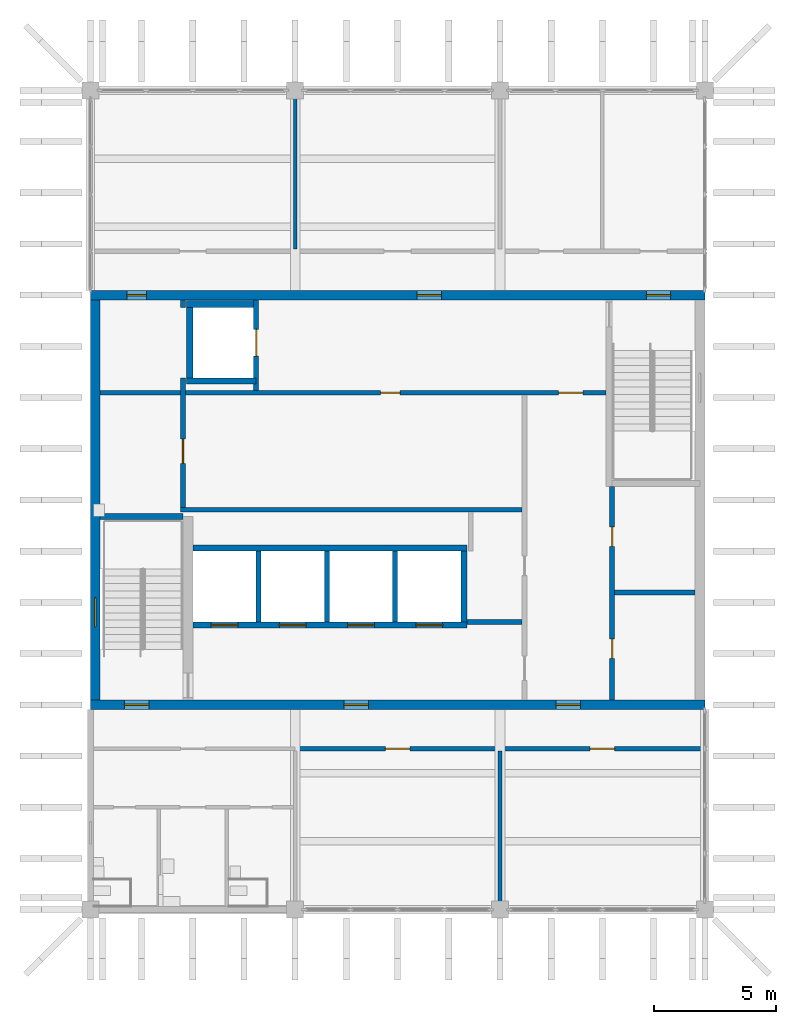
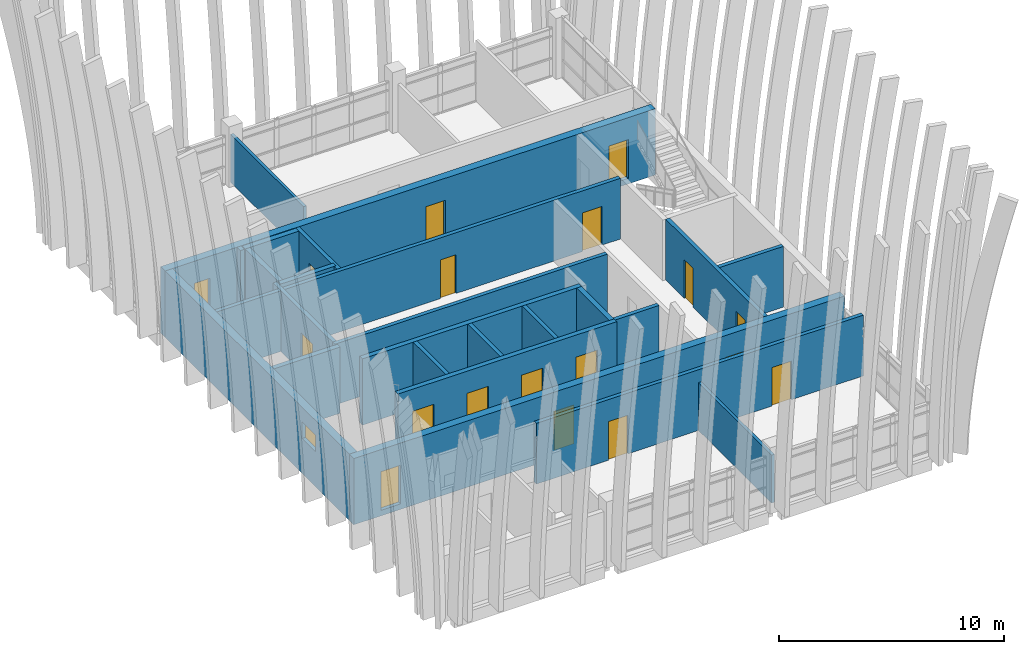
# One storey, part 6 of 19: 24 walls, 18 doors, 1 window, 19 openings.
"""IFC4 building model written with IfcOpenShell, lengths in metres."""

from ifc_helpers import new_model, si_unit, direction, frame, frame_2d, origin, place, context, subcontext, project, spatial, rectangle, extrude, material, layer, layer_set, type_object, element, fill, save


model = new_model("IFC4")

# Units and contexts
model_context = context("Model", 3, precision=1e-05, world=origin(), true_north=direction((0.0, 1.0)))
body_context = subcontext(model_context, "Body", "Model", "MODEL_VIEW")
ifc_project = project(units=[si_unit("LENGTHUNIT", "METRE"), si_unit("AREAUNIT", "SQUARE_METRE"), si_unit("VOLUMEUNIT", "CUBIC_METRE"), si_unit("PLANEANGLEUNIT", "RADIAN"), si_unit("MASSUNIT", "GRAM", prefix="KILO")], contexts=[model_context])

# Site, building, storey
site_placement = place(None, origin())
site = spatial("IfcSite", under=ifc_project, at=site_placement, CompositionType="ELEMENT")
building_placement = place(site_placement, origin())
building = spatial("IfcBuilding", under=site, at=building_placement, Name="Rulbaag Community and Learning Centre", CompositionType="ELEMENT")
storey_placement = place(building_placement, frame((0.0, 0.0, 57.60009765625)))
storey = spatial("IfcBuildingStorey", under=building, at=storey_placement, Name="L15", CompositionType="ELEMENT", Elevation=57.60009765625)

# Wall, openings, doors
ifc_material_1 = material(Name="Concrete blockwork", Category="masonry")
ifc_layer_1 = layer(ifc_material_1, 0.199951171875)
ifc_layer_set_1 = layer_set([ifc_layer_1], Name="FW-200 FIRE WALL 200")
wall_type_1 = type_object("IfcWallType", Name="FW-200 FIRE WALL 200", PredefinedType="SOLIDWALL", material=ifc_layer_set_1)
wall_1_placement = place(storey_placement, frame((151.199951171875, 90.60009765625, 0.0), z_axis=(0.0, 0.0, 1.0), x_axis=(1.0, 0.0, 0.0)))
wall_1 = element("IfcWall", 1, at=wall_1_placement, inside=storey, type_object=wall_type_1, Name="Fire wall L15 3", PredefinedType="SOLIDWALL", context=body_context, shape_type="SweptSolid", body=[
    extrude(rectangle(XDim=16.800048828125, YDim=0.199951171875, at=frame_2d((8.39990234375, 0.0))), origin(), (0.0, 0.0, 1.0), 3.2998046875),
])
opening_1_placement = place(wall_1_placement, frame((3.699951171875, 0.0, 0.0)))
opening_1 = element("IfcOpeningElement", 2, at=opening_1_placement, cuts=wall_1, Name="Opening L15-D018", PredefinedType="OPENING", context=body_context, shape_type="SweptSolid", body=[
    extrude(rectangle(XDim=1.0, YDim=2.10009765625, at=frame_2d((0.5, 1.050048828125))), frame((0.0, 0.10986328125, 0.0), z_axis=(0.0, -1.0, 0.0), x_axis=(1.0, 0.0, 0.0)), (0.0, 0.0, 1.0), 0.219970703125),
])
opening_2_placement = place(wall_1_placement, frame((12.10009765625, 0.0, 0.0)))
opening_2 = element("IfcOpeningElement", 3, at=opening_2_placement, cuts=wall_1, Name="Opening L15-D027", PredefinedType="OPENING", context=body_context, shape_type="SweptSolid", body=[
    extrude(rectangle(XDim=1.0, YDim=2.10009765625, at=frame_2d((0.5, 1.050048828125))), frame((0.0, 0.10986328125, 0.0), z_axis=(0.0, -1.0, 0.0), x_axis=(1.0, 0.0, 0.0)), (0.0, 0.0, 1.0), 0.219970703125),
])
ifc_material_2 = material(Name="Galvanised steel", Category="steel")
door_type_1 = type_object("IfcDoorType", Name="FD-1000 FIRE DOOR 1000 x 2100", OperationType="SINGLE_SWING_LEFT", PredefinedType="DOOR", material=ifc_material_2)
door_1_placement = place(opening_1_placement, origin())
door_1 = element("IfcDoor", 4, at=door_1_placement, inside=storey, type_object=door_type_1, Name="Door L15-D018", OperationType="SINGLE_SWING_LEFT", OverallHeight=2.10009765625, OverallWidth=1.0, PredefinedType="DOOR", context=body_context, shape_type="SweptSolid", body=[
    extrude(rectangle(XDim=1.0, YDim=2.10009765625, at=frame_2d((0.5, 1.050048828125))), frame((0.0, 0.02490234375, 0.0), z_axis=(0.0, -1.0, 0.0), x_axis=(1.0, 0.0, 0.0)), (0.0, 0.0, 1.0), 0.050048828125),
])
fill(opening_1, door_1)
door_2_placement = place(opening_2_placement, origin())
door_2 = element("IfcDoor", 5, at=door_2_placement, inside=storey, type_object=door_type_1, Name="Door L15-D027", OperationType="SINGLE_SWING_RIGHT", OverallHeight=2.10009765625, OverallWidth=1.0, PredefinedType="DOOR", context=body_context, shape_type="SweptSolid", body=[
    extrude(rectangle(XDim=1.0, YDim=2.10009765625, at=frame_2d((0.5, 1.050048828125))), frame((0.0, 0.02490234375, 0.0), z_axis=(0.0, -1.0, 0.0), x_axis=(1.0, 0.0, 0.0)), (0.0, 0.0, 1.0), 0.050048828125),
])
fill(opening_2, door_2)

# Walls
wall_2_placement = place(storey_placement, frame((158.25, 95.800048828125, 0.0), z_axis=(0.0, 0.0, 1.0), x_axis=(1.0, 0.0, 0.0)))
element("IfcWall", 6, at=wall_2_placement, inside=storey, type_object=wall_type_1, Name="Fire wall L15 5", PredefinedType="SOLIDWALL", context=body_context, shape_type="SweptSolid", body=[
    extrude(rectangle(XDim=2.25, YDim=0.199951171875, at=frame_2d((1.125, 0.0))), origin(), (0.0, 0.0, 1.0), 3.2998046875),
])
wall_3_placement = place(storey_placement, frame((164.300048828125, 97.0, 0.0), z_axis=(0.0, 0.0, 1.0), x_axis=(1.0, 0.0, 0.0)))
element("IfcWall", 7, at=wall_3_placement, inside=storey, type_object=wall_type_1, Name="Fire wall L15 6", PredefinedType="SOLIDWALL", context=body_context, shape_type="SweptSolid", body=[
    extrude(rectangle(XDim=3.300048828125, YDim=0.199951171875, at=frame_2d((1.64990234375, 0.0))), origin(), (0.0, 0.0, 1.0), 3.2998046875),
])
wall_4_placement = place(storey_placement, frame((146.5, 100.39990234375, 0.0), z_axis=(0.0, 0.0, 1.0), x_axis=(1.0, 0.0, 0.0)))
element("IfcWall", 8, at=wall_4_placement, inside=storey, type_object=wall_type_1, Name="Fire wall L15 8", PredefinedType="SOLIDWALL", context=body_context, shape_type="SweptSolid", body=[
    extrude(rectangle(XDim=14.0, YDim=0.199951171875, at=frame_2d((7.0, 0.0))), origin(), (0.0, 0.0, 1.0), 3.2998046875),
])

# Wall, openings, doors
wall_5_placement = place(storey_placement, frame((143.199951171875, 105.199951171875, 0.0), z_axis=(0.0, 0.0, 1.0), x_axis=(1.0, 0.0, 0.0)))
wall_5 = element("IfcWall", 9, at=wall_5_placement, inside=storey, type_object=wall_type_1, Name="Fire wall L15 9", PredefinedType="SOLIDWALL", context=body_context, shape_type="SweptSolid", body=[
    extrude(rectangle(XDim=20.75, YDim=0.199951171875, at=frame_2d((10.375, 0.0))), origin(), (0.0, 0.0, 1.0), 3.2998046875),
])
opening_3_placement = place(wall_5_placement, frame((11.5, 0.0, 0.0)))
opening_3 = element("IfcOpeningElement", 10, at=opening_3_placement, cuts=wall_5, Name="Opening L15-D017", PredefinedType="OPENING", context=body_context, shape_type="SweptSolid", body=[
    extrude(rectangle(XDim=0.800048828125, YDim=2.10009765625, at=frame_2d((0.39990234375, 1.050048828125))), frame((0.0, 0.10986328125, 0.0), z_axis=(0.0, -1.0, 0.0), x_axis=(1.0, 0.0, 0.0)), (0.0, 0.0, 1.0), 0.219970703125),
])
opening_4_placement = place(wall_5_placement, frame((18.800048828125, 0.0, 0.0)))
opening_4 = element("IfcOpeningElement", 11, at=opening_4_placement, cuts=wall_5, Name="Opening L15-D026", PredefinedType="OPENING", context=body_context, shape_type="SweptSolid", body=[
    extrude(rectangle(XDim=1.0, YDim=2.10009765625, at=frame_2d((0.5, 1.050048828125))), frame((0.0, 0.10986328125, 0.0), z_axis=(0.0, -1.0, 0.0), x_axis=(1.0, 0.0, 0.0)), (0.0, 0.0, 1.0), 0.219970703125),
])
door_3_placement = place(opening_4_placement, origin())
door_3 = element("IfcDoor", 12, at=door_3_placement, inside=storey, type_object=door_type_1, Name="Door L15-D026", OperationType="SINGLE_SWING_LEFT", OverallHeight=2.10009765625, OverallWidth=1.0, PredefinedType="DOOR", context=body_context, shape_type="SweptSolid", body=[
    extrude(rectangle(XDim=1.0, YDim=2.10009765625, at=frame_2d((0.5, 1.050048828125))), frame((0.0, 0.02490234375, 0.0), z_axis=(0.0, -1.0, 0.0), x_axis=(1.0, 0.0, 0.0)), (0.0, 0.0, 1.0), 0.050048828125),
])
fill(opening_4, door_3)
door_type_2 = type_object("IfcDoorType", Name="FDR-800 RISER FIRE DOOR 800 x 2100", OperationType="SINGLE_SWING_LEFT", PredefinedType="DOOR", material=ifc_material_2)
door_4_placement = place(opening_3_placement, origin())
door_4 = element("IfcDoor", 13, at=door_4_placement, inside=storey, type_object=door_type_2, Name="Riser door L15-D022", OperationType="SINGLE_SWING_RIGHT", OverallHeight=2.10009765625, OverallWidth=0.800048828125, PredefinedType="DOOR", context=body_context, shape_type="SweptSolid", body=[
    extrude(rectangle(XDim=0.800048828125, YDim=2.10009765625, at=frame_2d((0.39990234375, 1.050048828125))), frame((0.0, 0.02490234375, 0.0), z_axis=(0.0, -1.0, 0.0), x_axis=(1.0, 0.0, 0.0)), (0.0, 0.0, 1.0), 0.050048828125),
])
fill(opening_3, door_4)

# Wall, opening, door
wall_6_placement = place(storey_placement, frame((146.60009765625, 100.5, 0.0), z_axis=(0.0, 0.0, 1.0), x_axis=(0.0, 1.0, 0.0)))
wall_6 = element("IfcWall", 14, at=wall_6_placement, inside=storey, type_object=wall_type_1, Name="Fire wall L15 12", PredefinedType="SOLIDWALL", context=body_context, shape_type="SweptSolid", body=[
    extrude(rectangle(XDim=5.300048828125, YDim=0.199951171875, at=frame_2d((2.64990234375, 0.0))), origin(), (0.0, 0.0, 1.0), 3.2998046875),
])
opening_5_placement = place(wall_6_placement, frame((1.800048828125, 0.0, 0.0)))
opening_5 = element("IfcOpeningElement", 15, at=opening_5_placement, cuts=wall_6, Name="Opening L15-D005", PredefinedType="OPENING", context=body_context, shape_type="SweptSolid", body=[
    extrude(rectangle(XDim=1.0, YDim=2.10009765625, at=frame_2d((0.5, 1.050048828125))), frame((0.0, 0.10986328125, 0.0), z_axis=(0.0, -1.0, 0.0), x_axis=(1.0, 0.0, 0.0)), (0.0, 0.0, 1.0), 0.219970703125),
])
door_5_placement = place(opening_5_placement, origin())
door_5 = element("IfcDoor", 16, at=door_5_placement, inside=storey, type_object=door_type_1, Name="Door L15-D005", OperationType="SINGLE_SWING_LEFT", OverallHeight=2.10009765625, OverallWidth=1.0, PredefinedType="DOOR", context=body_context, shape_type="SweptSolid", body=[
    extrude(rectangle(XDim=1.0, YDim=2.10009765625, at=frame_2d((0.5, 1.050048828125))), frame((0.0, 0.02490234375, 0.0), z_axis=(0.0, -1.0, 0.0), x_axis=(1.0, 0.0, 0.0)), (0.0, 0.0, 1.0), 0.050048828125),
])
fill(opening_5, door_5)

# Wall
wall_7_placement = place(storey_placement, frame((146.60009765625, 108.699951171875, 0.0), z_axis=(0.0, 0.0, 1.0), x_axis=(0.0, 1.0, 0.0)))
element("IfcWall", 17, at=wall_7_placement, inside=storey, type_object=wall_type_1, Name="Fire wall L15 13", PredefinedType="SOLIDWALL", context=body_context, shape_type="SweptSolid", body=[
    extrude(rectangle(XDim=0.300048828125, YDim=0.199951171875, at=frame_2d((0.14990234375, 0.0))), origin(), (0.0, 0.0, 1.0), 3.2998046875),
])

# Wall, opening, door
wall_8_placement = place(storey_placement, frame((149.60009765625, 105.300048828125, 0.0), z_axis=(0.0, 0.0, 1.0), x_axis=(0.0, 1.0, 0.0)))
wall_8 = element("IfcWall", 18, at=wall_8_placement, inside=storey, type_object=wall_type_1, Name="Fire wall L15 15", PredefinedType="SOLIDWALL", context=body_context, shape_type="SweptSolid", body=[
    extrude(rectangle(XDim=3.699951171875, YDim=0.199951171875, at=frame_2d((1.85009765625, 0.0))), origin(), (0.0, 0.0, 1.0), 3.2998046875),
])
opening_6_placement = place(wall_8_placement, frame((1.39990234375, 0.0, 0.0)))
opening_6 = element("IfcOpeningElement", 19, at=opening_6_placement, cuts=wall_8, Name="Opening L15-D011", PredefinedType="OPENING", context=body_context, shape_type="SweptSolid", body=[
    extrude(rectangle(XDim=1.10009765625, YDim=2.10009765625, at=frame_2d((0.550048828125, 1.050048828125))), frame((0.0, 0.10986328125, 0.0), z_axis=(0.0, -1.0, 0.0), x_axis=(1.0, 0.0, 0.0)), (0.0, 0.0, 1.0), 0.219970703125),
])
ifc_material_3 = material(Name="Stainless steel grade 304", Category="steel")
door_type_3 = type_object("IfcDoorType", Name="LD-1100 LIFT LANDING DOOR 1100 x 2100", OperationType="SLIDING_TO_LEFT", PredefinedType="DOOR", material=ifc_material_3)
door_6_placement = place(opening_6_placement, origin())
door_6 = element("IfcDoor", 20, at=door_6_placement, inside=storey, type_object=door_type_3, Name="Lift landing door LF1 L15", OperationType="SLIDING_TO_LEFT", OverallHeight=2.10009765625, OverallWidth=1.10009765625, PredefinedType="DOOR", context=body_context, shape_type="SweptSolid", body=[
    extrude(rectangle(XDim=1.10009765625, YDim=2.10009765625, at=frame_2d((0.550048828125, 1.050048828125))), frame((0.0, 0.02490234375, 0.0), z_axis=(0.0, -1.0, 0.0), x_axis=(1.0, 0.0, 0.0)), (0.0, 0.0, 1.0), 0.050048828125),
])
fill(opening_6, door_6)

# Wall, openings, doors
wall_9_placement = place(storey_placement, frame((164.199951171875, 92.60009765625, 0.0), z_axis=(0.0, 0.0, 1.0), x_axis=(0.0, 1.0, 0.0)))
wall_9 = element("IfcWall", 21, at=wall_9_placement, inside=storey, type_object=wall_type_1, Name="Fire wall L15 23", PredefinedType="SOLIDWALL", context=body_context, shape_type="SweptSolid", body=[
    extrude(rectangle(XDim=8.75, YDim=0.199951171875, at=frame_2d((4.375, 0.0))), origin(), (0.0, 0.0, 1.0), 3.2998046875),
])
opening_7_placement = place(wall_9_placement, frame((1.699951171875, 0.0, 0.0)))
opening_7 = element("IfcOpeningElement", 22, at=opening_7_placement, cuts=wall_9, Name="Opening L15-D029", PredefinedType="OPENING", context=body_context, shape_type="SweptSolid", body=[
    extrude(rectangle(XDim=0.800048828125, YDim=2.10009765625, at=frame_2d((0.39990234375, 1.050048828125))), frame((0.0, 0.10986328125, 0.0), z_axis=(0.0, -1.0, 0.0), x_axis=(1.0, 0.0, 0.0)), (0.0, 0.0, 1.0), 0.219970703125),
])
opening_8_placement = place(wall_9_placement, frame((6.300048828125, 0.0, 0.0)))
opening_8 = element("IfcOpeningElement", 23, at=opening_8_placement, cuts=wall_9, Name="Opening L15-D030", PredefinedType="OPENING", context=body_context, shape_type="SweptSolid", body=[
    extrude(rectangle(XDim=0.800048828125, YDim=2.10009765625, at=frame_2d((0.39990234375, 1.050048828125))), frame((0.0, 0.10986328125, 0.0), z_axis=(0.0, -1.0, 0.0), x_axis=(1.0, 0.0, 0.0)), (0.0, 0.0, 1.0), 0.219970703125),
])
door_7_placement = place(opening_7_placement, origin())
door_7 = element("IfcDoor", 24, at=door_7_placement, inside=storey, type_object=door_type_2, Name="Riser door L15-D019", OperationType="SINGLE_SWING_LEFT", OverallHeight=2.10009765625, OverallWidth=0.800048828125, PredefinedType="DOOR", context=body_context, shape_type="SweptSolid", body=[
    extrude(rectangle(XDim=0.800048828125, YDim=2.10009765625, at=frame_2d((0.39990234375, 1.050048828125))), frame((0.0, 0.02490234375, 0.0), z_axis=(0.0, -1.0, 0.0), x_axis=(1.0, 0.0, 0.0)), (0.0, 0.0, 1.0), 0.050048828125),
])
fill(opening_7, door_7)
door_8_placement = place(opening_8_placement, origin())
door_8 = element("IfcDoor", 25, at=door_8_placement, inside=storey, type_object=door_type_2, Name="Riser door L15-D020", OperationType="SINGLE_SWING_RIGHT", OverallHeight=2.10009765625, OverallWidth=0.800048828125, PredefinedType="DOOR", context=body_context, shape_type="SweptSolid", body=[
    extrude(rectangle(XDim=0.800048828125, YDim=2.10009765625, at=frame_2d((0.39990234375, 1.050048828125))), frame((0.0, 0.02490234375, 0.0), z_axis=(0.0, -1.0, 0.0), x_axis=(1.0, 0.0, 0.0)), (0.0, 0.0, 1.0), 0.050048828125),
])
fill(opening_8, door_8)

# Walls
ifc_layer_2 = layer(ifc_material_1, 0.14990234375)
ifc_layer_set_2 = layer_set([ifc_layer_2], Name="IP-150 PARTITION 150")
wall_type_2 = type_object("IfcWallType", Name="IP-150 PARTITION 150", PredefinedType="PARTITIONING", material=ifc_layer_set_2)
for number, where, z_axis, x_axis, name in (
    (26, (151.199951171875, 111.10009765625, 0.0), (0.0, 0.0, 1.0), (0.0, 1.0, 0.0), "Partition L15 17"),
    (27, (159.60009765625, 84.0, 0.0), (0.0, 0.0, 1.0), (0.0, 1.0, 0.0), "Partition L15 19"),
):
    element("IfcWall", number, at=place(storey_placement, frame(where, z_axis=z_axis, x_axis=x_axis)), inside=storey, type_object=wall_type_2, Name=name, PredefinedType="PARTITIONING", context=body_context, shape_type="SweptSolid", body=[
        extrude(rectangle(XDim=6.5, YDim=0.14990234375, at=frame_2d((3.25, 0.0))), origin(), (0.0, 0.0, 1.0), 2.599853515625),
    ])
ifc_material_4 = material(Name="Concrete M40", Category="concrete")
ifc_layer_3 = layer(ifc_material_4, 0.27490234375)
ifc_layer_set_3 = layer_set([ifc_layer_3], Name="W16 Shaft wall 275 Concrete M40")
wall_type_3 = type_object("IfcWallType", Name="W16 Shaft wall 275 Concrete M40", PredefinedType="SHEAR", material=ifc_layer_set_3)
wall_10_placement = place(storey_placement, frame((146.75, 108.83740234375, -0.300048828125), z_axis=(0.0, 0.0, 1.0), x_axis=(1.0, 0.0, 0.0)))
element("IfcWall", 28, at=wall_10_placement, inside=storey, type_object=wall_type_3, Name="WL-LF-N-L15", PredefinedType="SHEAR", context=body_context, shape_type="SweptSolid", body=[
    extrude(rectangle(XDim=2.85009765625, YDim=0.27490234375, at=frame_2d((1.425048828125, 0.0))), origin(), (0.0, 0.0, 1.0), 3.599853515625),
])

# Wall, openings, doors
ifc_material_5 = material(Name="Concrete M60", Category="concrete")
ifc_layer_4 = layer(ifc_material_5, 0.39990234375)
ifc_layer_set_4 = layer_set([ifc_layer_4], Name="W2 Core wall 400 Concrete M60")
wall_type_4 = type_object("IfcWallType", Name="W2 Core wall 400 Concrete M60", PredefinedType="SHEAR", material=ifc_layer_set_4)
wall_11_placement = place(storey_placement, frame((142.800048828125, 92.39990234375, -0.300048828125), z_axis=(0.0, 0.0, 1.0), x_axis=(1.0, 0.0, 0.0)))
wall_11 = element("IfcWall", 29, at=wall_11_placement, inside=storey, type_object=wall_type_4, Name="WL-CORE-S-L15", PredefinedType="SHEAR", context=body_context, shape_type="SweptSolid", body=[
    extrude(rectangle(XDim=25.199951171875, YDim=0.39990234375, at=frame_2d((12.60009765625, 0.0))), origin(), (0.0, 0.0, 1.0), 3.599853515625),
])
opening_9_placement = place(wall_11_placement, frame((1.39990234375, 0.0, 0.300048828125)))
opening_9 = element("IfcOpeningElement", 30, at=opening_9_placement, cuts=wall_11, Name="Opening L15-D003", PredefinedType="OPENING", context=body_context, shape_type="SweptSolid", body=[
    extrude(rectangle(XDim=1.0, YDim=2.10009765625, at=frame_2d((0.5, 1.050048828125))), frame((0.0, 0.2099609375, 0.0), z_axis=(0.0, -1.0, 0.0), x_axis=(1.0, 0.0, 0.0)), (0.0, 0.0, 1.0), 0.419921875),
])
opening_10_placement = place(wall_11_placement, frame((19.10009765625, 0.0, 0.300048828125)))
opening_10 = element("IfcOpeningElement", 31, at=opening_10_placement, cuts=wall_11, Name="Opening L15-D025", PredefinedType="OPENING", context=body_context, shape_type="SweptSolid", body=[
    extrude(rectangle(XDim=1.0, YDim=2.10009765625, at=frame_2d((0.5, 1.050048828125))), frame((0.0, 0.2099609375, 0.0), z_axis=(0.0, -1.0, 0.0), x_axis=(1.0, 0.0, 0.0)), (0.0, 0.0, 1.0), 0.419921875),
])
opening_11_placement = place(wall_11_placement, frame((10.39990234375, 0.0, 0.300048828125)))
opening_11 = element("IfcOpeningElement", 32, at=opening_11_placement, cuts=wall_11, Name="Opening L15-D015", PredefinedType="OPENING", context=body_context, shape_type="SweptSolid", body=[
    extrude(rectangle(XDim=1.0, YDim=2.10009765625, at=frame_2d((0.5, 1.050048828125))), frame((0.0, 0.2099609375, 0.0), z_axis=(0.0, -1.0, 0.0), x_axis=(1.0, 0.0, 0.0)), (0.0, 0.0, 1.0), 0.419921875),
])
ifc_material_6 = material(Name="Timber", Category="wood")
door_type_4 = type_object("IfcDoorType", Name="D-1000 DOOR 1000 x 2100", OperationType="SINGLE_SWING_LEFT", PredefinedType="DOOR", material=ifc_material_6)
door_9_placement = place(opening_10_placement, origin())
door_9 = element("IfcDoor", 33, at=door_9_placement, inside=storey, type_object=door_type_4, Name="Door L15-D025", OperationType="SINGLE_SWING_LEFT", OverallHeight=2.10009765625, OverallWidth=1.0, PredefinedType="DOOR", context=body_context, shape_type="SweptSolid", body=[
    extrude(rectangle(XDim=1.0, YDim=2.10009765625, at=frame_2d((0.5, 1.050048828125))), frame((0.0, 0.02490234375, 0.0), z_axis=(0.0, -1.0, 0.0), x_axis=(1.0, 0.0, 0.0)), (0.0, 0.0, 1.0), 0.050048828125),
])
fill(opening_10, door_9)
door_10_placement = place(opening_9_placement, origin())
door_10 = element("IfcDoor", 34, at=door_10_placement, inside=storey, type_object=door_type_1, Name="Door L15-D003", OperationType="SINGLE_SWING_RIGHT", OverallHeight=2.10009765625, OverallWidth=1.0, PredefinedType="DOOR", context=body_context, shape_type="SweptSolid", body=[
    extrude(rectangle(XDim=1.0, YDim=2.10009765625, at=frame_2d((0.5, 1.050048828125))), frame((0.0, 0.02490234375, 0.0), z_axis=(0.0, -1.0, 0.0), x_axis=(1.0, 0.0, 0.0)), (0.0, 0.0, 1.0), 0.050048828125),
])
fill(opening_9, door_10)
door_11_placement = place(opening_11_placement, origin())
door_11 = element("IfcDoor", 35, at=door_11_placement, inside=storey, type_object=door_type_1, Name="Door L15-D015", OperationType="SINGLE_SWING_RIGHT", OverallHeight=2.10009765625, OverallWidth=1.0, PredefinedType="DOOR", context=body_context, shape_type="SweptSolid", body=[
    extrude(rectangle(XDim=1.0, YDim=2.10009765625, at=frame_2d((0.5, 1.050048828125))), frame((0.0, 0.02490234375, 0.0), z_axis=(0.0, -1.0, 0.0), x_axis=(1.0, 0.0, 0.0)), (0.0, 0.0, 1.0), 0.050048828125),
])
fill(opening_11, door_11)

wall_12_placement = place(storey_placement, frame((142.800048828125, 109.199951171875, -0.300048828125), z_axis=(0.0, 0.0, 1.0), x_axis=(1.0, 0.0, 0.0)))
wall_12 = element("IfcWall", 36, at=wall_12_placement, inside=storey, type_object=wall_type_4, Name="WL-CORE-N-L15", PredefinedType="SHEAR", context=body_context, shape_type="SweptSolid", body=[
    extrude(rectangle(XDim=25.199951171875, YDim=0.39990234375, at=frame_2d((12.60009765625, 0.0))), origin(), (0.0, 0.0, 1.0), 3.599853515625),
])
opening_12_placement = place(wall_12_placement, frame((22.800048828125, 0.0, 0.300048828125)))
opening_12 = element("IfcOpeningElement", 37, at=opening_12_placement, cuts=wall_12, Name="Opening L15-D032", PredefinedType="OPENING", context=body_context, shape_type="SweptSolid", body=[
    extrude(rectangle(XDim=1.0, YDim=2.10009765625, at=frame_2d((0.5, 1.050048828125))), frame((0.0, 0.2099609375, 0.0), z_axis=(0.0, -1.0, 0.0), x_axis=(1.0, 0.0, 0.0)), (0.0, 0.0, 1.0), 0.419921875),
])
opening_13_placement = place(wall_12_placement, frame((1.5, 0.0, 0.300048828125)))
opening_13 = element("IfcOpeningElement", 38, at=opening_13_placement, cuts=wall_12, Name="Opening L15-D004", PredefinedType="OPENING", context=body_context, shape_type="SweptSolid", body=[
    extrude(rectangle(XDim=0.800048828125, YDim=2.10009765625, at=frame_2d((0.39990234375, 1.050048828125))), frame((0.0, 0.2099609375, 0.0), z_axis=(0.0, -1.0, 0.0), x_axis=(1.0, 0.0, 0.0)), (0.0, 0.0, 1.0), 0.419921875),
])
opening_14_placement = place(wall_12_placement, frame((13.39990234375, 0.0, 0.300048828125)))
opening_14 = element("IfcOpeningElement", 39, at=opening_14_placement, cuts=wall_12, Name="Opening L15-D021", PredefinedType="OPENING", context=body_context, shape_type="SweptSolid", body=[
    extrude(rectangle(XDim=1.0, YDim=2.10009765625, at=frame_2d((0.5, 1.050048828125))), frame((0.0, 0.2099609375, 0.0), z_axis=(0.0, -1.0, 0.0), x_axis=(1.0, 0.0, 0.0)), (0.0, 0.0, 1.0), 0.419921875),
])
door_12_placement = place(opening_12_placement, origin())
door_12 = element("IfcDoor", 40, at=door_12_placement, inside=storey, type_object=door_type_1, Name="Door L15-D032", OperationType="SINGLE_SWING_LEFT", OverallHeight=2.10009765625, OverallWidth=1.0, PredefinedType="DOOR", context=body_context, shape_type="SweptSolid", body=[
    extrude(rectangle(XDim=1.0, YDim=2.10009765625, at=frame_2d((0.5, 1.050048828125))), frame((0.0, 0.02490234375, 0.0), z_axis=(0.0, -1.0, 0.0), x_axis=(1.0, 0.0, 0.0)), (0.0, 0.0, 1.0), 0.050048828125),
])
fill(opening_12, door_12)
door_13_placement = place(opening_14_placement, origin())
door_13 = element("IfcDoor", 41, at=door_13_placement, inside=storey, type_object=door_type_1, Name="Door L15-D021", OperationType="SINGLE_SWING_LEFT", OverallHeight=2.10009765625, OverallWidth=1.0, PredefinedType="DOOR", context=body_context, shape_type="SweptSolid", body=[
    extrude(rectangle(XDim=1.0, YDim=2.10009765625, at=frame_2d((0.5, 1.050048828125))), frame((0.0, 0.02490234375, 0.0), z_axis=(0.0, -1.0, 0.0), x_axis=(1.0, 0.0, 0.0)), (0.0, 0.0, 1.0), 0.050048828125),
])
fill(opening_14, door_13)
door_14_placement = place(opening_13_placement, origin())
door_14 = element("IfcDoor", 42, at=door_14_placement, inside=storey, type_object=door_type_2, Name="Riser door L15-D024", OperationType="SINGLE_SWING_LEFT", OverallHeight=2.10009765625, OverallWidth=0.800048828125, PredefinedType="DOOR", context=body_context, shape_type="SweptSolid", body=[
    extrude(rectangle(XDim=0.800048828125, YDim=2.10009765625, at=frame_2d((0.39990234375, 1.050048828125))), frame((0.0, 0.02490234375, 0.0), z_axis=(0.0, -1.0, 0.0), x_axis=(1.0, 0.0, 0.0)), (0.0, 0.0, 1.0), 0.050048828125),
])
fill(opening_13, door_14)

# Wall, opening, window
wall_13_placement = place(storey_placement, frame((143.0, 92.60009765625, -0.300048828125), z_axis=(0.0, 0.0, 1.0), x_axis=(0.0, 1.0, 0.0)))
wall_13 = element("IfcWall", 43, at=wall_13_placement, inside=storey, type_object=wall_type_4, Name="WL-CORE-W-L15", PredefinedType="SHEAR", context=body_context, shape_type="SweptSolid", body=[
    extrude(rectangle(XDim=16.39990234375, YDim=0.39990234375, at=frame_2d((8.199951171875, 0.0))), origin(), (0.0, 0.0, 1.0), 3.599853515625),
])
opening_15_placement = place(wall_13_placement, frame((3.0, 0.0, 1.89990234375)))
opening_15 = element("IfcOpeningElement", 44, at=opening_15_placement, cuts=wall_13, Name="Opening WN19", PredefinedType="OPENING", context=body_context, shape_type="SweptSolid", body=[
    extrude(rectangle(XDim=1.199951171875, YDim=0.89990234375, at=frame_2d((0.60009765625, 0.449951171875))), frame((0.0, 0.2099609375, 0.0), z_axis=(0.0, -1.0, 0.0), x_axis=(1.0, 0.0, 0.0)), (0.0, 0.0, 1.0), 0.419921875),
])
ifc_material_7 = material(Name="Aluminium", Category="aluminium")
window_type = type_object("IfcWindowType", Name="WS-12", PartitioningType="SINGLE_PANEL", PredefinedType="WINDOW", material=ifc_material_7)
window_placement = place(opening_15_placement, origin())
window = element("IfcWindow", 45, at=window_placement, inside=storey, type_object=window_type, Name="Stair window", OverallHeight=0.89990234375, OverallWidth=1.199951171875, PartitioningType="SINGLE_PANEL", PredefinedType="WINDOW", context=body_context, shape_type="SweptSolid", body=[
    extrude(rectangle(XDim=1.199951171875, YDim=0.89990234375, at=frame_2d((0.60009765625, 0.449951171875))), frame((0.0, 0.030029296875, 0.0), z_axis=(0.0, -1.0, 0.0), x_axis=(1.0, 0.0, 0.0)), (0.0, 0.0, 1.0), 0.06005859375),
])
fill(opening_15, window)

# Wall
ifc_layer_5 = layer(ifc_material_4, 0.25)
ifc_layer_set_5 = layer_set([ifc_layer_5], Name="W5 Shaft wall 250 Concrete M40")
wall_type_5 = type_object("IfcWallType", Name="W5 Shaft wall 250 Concrete M40", PredefinedType="SHEAR", material=ifc_layer_set_5)
wall_14_placement = place(storey_placement, frame((143.199951171875, 100.125, -0.300048828125), z_axis=(0.0, 0.0, 1.0), x_axis=(1.0, 0.0, 0.0)))
element("IfcWall", 46, at=wall_14_placement, inside=storey, type_object=wall_type_5, Name="WL-ST1-N-L15", PredefinedType="SHEAR", context=body_context, shape_type="SweptSolid", body=[
    extrude(rectangle(XDim=3.400146484375, YDim=0.25, at=frame_2d((1.7001953125, 0.0))), origin(), (0.0, 0.0, 1.0), 3.599853515625),
])

# Wall, openings, doors
wall_15_placement = place(storey_placement, frame((147.0, 95.675048828125, -0.300048828125), z_axis=(0.0, 0.0, 1.0), x_axis=(1.0, 0.0, 0.0)))
wall_15 = element("IfcWall", 47, at=wall_15_placement, inside=storey, type_object=wall_type_5, Name="WL-LP-S-L15", PredefinedType="SHEAR", context=body_context, shape_type="SweptSolid", body=[
    extrude(rectangle(XDim=11.25, YDim=0.25, at=frame_2d((5.625, 0.0))), origin(), (0.0, 0.0, 1.0), 3.599853515625),
])
opening_16_placement = place(wall_15_placement, frame((0.75, 0.0, 0.300048828125)))
opening_16 = element("IfcOpeningElement", 48, at=opening_16_placement, cuts=wall_15, Name="Opening L15-D010", PredefinedType="OPENING", context=body_context, shape_type="SweptSolid", body=[
    extrude(rectangle(XDim=1.10009765625, YDim=2.10009765625, at=frame_2d((0.550048828125, 1.050048828125))), frame((0.0, 0.135009765625, 0.0), z_axis=(0.0, -1.0, 0.0), x_axis=(1.0, 0.0, 0.0)), (0.0, 0.0, 1.0), 0.27001953125),
])
opening_17_placement = place(wall_15_placement, frame((3.550048828125, 0.0, 0.300048828125)))
opening_17 = element("IfcOpeningElement", 49, at=opening_17_placement, cuts=wall_15, Name="Opening L15-D014", PredefinedType="OPENING", context=body_context, shape_type="SweptSolid", body=[
    extrude(rectangle(XDim=1.10009765625, YDim=2.10009765625, at=frame_2d((0.550048828125, 1.050048828125))), frame((0.0, 0.135009765625, 0.0), z_axis=(0.0, -1.0, 0.0), x_axis=(1.0, 0.0, 0.0)), (0.0, 0.0, 1.0), 0.27001953125),
])
opening_18_placement = place(wall_15_placement, frame((6.35009765625, 0.0, 0.300048828125)))
opening_18 = element("IfcOpeningElement", 50, at=opening_18_placement, cuts=wall_15, Name="Opening L15-D016", PredefinedType="OPENING", context=body_context, shape_type="SweptSolid", body=[
    extrude(rectangle(XDim=1.10009765625, YDim=2.10009765625, at=frame_2d((0.550048828125, 1.050048828125))), frame((0.0, 0.135009765625, 0.0), z_axis=(0.0, -1.0, 0.0), x_axis=(1.0, 0.0, 0.0)), (0.0, 0.0, 1.0), 0.27001953125),
])
opening_19_placement = place(wall_15_placement, frame((9.14990234375, 0.0, 0.300048828125)))
opening_19 = element("IfcOpeningElement", 51, at=opening_19_placement, cuts=wall_15, Name="Opening L15-D020", PredefinedType="OPENING", context=body_context, shape_type="SweptSolid", body=[
    extrude(rectangle(XDim=1.10009765625, YDim=2.10009765625, at=frame_2d((0.550048828125, 1.050048828125))), frame((0.0, 0.135009765625, 0.0), z_axis=(0.0, -1.0, 0.0), x_axis=(1.0, 0.0, 0.0)), (0.0, 0.0, 1.0), 0.27001953125),
])
door_15_placement = place(opening_16_placement, origin())
door_15 = element("IfcDoor", 52, at=door_15_placement, inside=storey, type_object=door_type_3, Name="Lift landing door LP1 L15", OperationType="SLIDING_TO_LEFT", OverallHeight=2.10009765625, OverallWidth=1.10009765625, PredefinedType="DOOR", context=body_context, shape_type="SweptSolid", body=[
    extrude(rectangle(XDim=1.10009765625, YDim=2.10009765625, at=frame_2d((0.550048828125, 1.050048828125))), frame((0.0, 0.02490234375, 0.0), z_axis=(0.0, -1.0, 0.0), x_axis=(1.0, 0.0, 0.0)), (0.0, 0.0, 1.0), 0.050048828125),
])
fill(opening_16, door_15)
door_16_placement = place(opening_17_placement, origin())
door_16 = element("IfcDoor", 53, at=door_16_placement, inside=storey, type_object=door_type_3, Name="Lift landing door LP2 L15", OperationType="SLIDING_TO_LEFT", OverallHeight=2.10009765625, OverallWidth=1.10009765625, PredefinedType="DOOR", context=body_context, shape_type="SweptSolid", body=[
    extrude(rectangle(XDim=1.10009765625, YDim=2.10009765625, at=frame_2d((0.550048828125, 1.050048828125))), frame((0.0, 0.02490234375, 0.0), z_axis=(0.0, -1.0, 0.0), x_axis=(1.0, 0.0, 0.0)), (0.0, 0.0, 1.0), 0.050048828125),
])
fill(opening_17, door_16)
door_17_placement = place(opening_18_placement, origin())
door_17 = element("IfcDoor", 54, at=door_17_placement, inside=storey, type_object=door_type_3, Name="Lift landing door LP3 L15", OperationType="SLIDING_TO_LEFT", OverallHeight=2.10009765625, OverallWidth=1.10009765625, PredefinedType="DOOR", context=body_context, shape_type="SweptSolid", body=[
    extrude(rectangle(XDim=1.10009765625, YDim=2.10009765625, at=frame_2d((0.550048828125, 1.050048828125))), frame((0.0, 0.02490234375, 0.0), z_axis=(0.0, -1.0, 0.0), x_axis=(1.0, 0.0, 0.0)), (0.0, 0.0, 1.0), 0.050048828125),
])
fill(opening_18, door_17)
door_18_placement = place(opening_19_placement, origin())
door_18 = element("IfcDoor", 55, at=door_18_placement, inside=storey, type_object=door_type_3, Name="Lift landing door LP4 L15", OperationType="SLIDING_TO_LEFT", OverallHeight=2.10009765625, OverallWidth=1.10009765625, PredefinedType="DOOR", context=body_context, shape_type="SweptSolid", body=[
    extrude(rectangle(XDim=1.10009765625, YDim=2.10009765625, at=frame_2d((0.550048828125, 1.050048828125))), frame((0.0, 0.02490234375, 0.0), z_axis=(0.0, -1.0, 0.0), x_axis=(1.0, 0.0, 0.0)), (0.0, 0.0, 1.0), 0.050048828125),
])
fill(opening_19, door_18)

# Walls
wall_16_placement = place(storey_placement, frame((147.0, 98.824951171875, -0.300048828125), z_axis=(0.0, 0.0, 1.0), x_axis=(1.0, 0.0, 0.0)))
element("IfcWall", 56, at=wall_16_placement, inside=storey, type_object=wall_type_5, Name="WL-LP-N-L15", PredefinedType="SHEAR", context=body_context, shape_type="SweptSolid", body=[
    extrude(rectangle(XDim=11.25, YDim=0.25, at=frame_2d((5.625, 0.0))), origin(), (0.0, 0.0, 1.0), 3.599853515625),
])
wall_17_placement = place(storey_placement, frame((158.125, 95.800048828125, -0.300048828125), z_axis=(0.0, 0.0, 1.0), x_axis=(0.0, 1.0, 0.0)))
element("IfcWall", 57, at=wall_17_placement, inside=storey, type_object=wall_type_5, Name="WL-LP-E-L15", PredefinedType="SHEAR", context=body_context, shape_type="SweptSolid", body=[
    extrude(rectangle(XDim=2.89990234375, YDim=0.25, at=frame_2d((1.449951171875, 0.0))), origin(), (0.0, 0.0, 1.0), 3.599853515625),
])
wall_18_placement = place(storey_placement, frame((146.75, 105.675048828125, -0.300048828125), z_axis=(0.0, 0.0, 1.0), x_axis=(1.0, 0.0, 0.0)))
element("IfcWall", 58, at=wall_18_placement, inside=storey, type_object=wall_type_5, Name="WL-LF-S-L15", PredefinedType="SHEAR", context=body_context, shape_type="SweptSolid", body=[
    extrude(rectangle(XDim=2.85009765625, YDim=0.25, at=frame_2d((1.425048828125, 0.0))), origin(), (0.0, 0.0, 1.0), 3.599853515625),
])
wall_19_placement = place(storey_placement, frame((146.875, 105.800048828125, -0.300048828125), z_axis=(0.0, 0.0, 1.0), x_axis=(0.0, 1.0, 0.0)))
element("IfcWall", 59, at=wall_19_placement, inside=storey, type_object=wall_type_5, Name="WL-LF-W-L15", PredefinedType="SHEAR", context=body_context, shape_type="SweptSolid", body=[
    extrude(rectangle(XDim=2.89990234375, YDim=0.25, at=frame_2d((1.449951171875, 0.0))), origin(), (0.0, 0.0, 1.0), 3.599853515625),
])
ifc_layer_6 = layer(ifc_material_4, 0.199951171875)
ifc_layer_set_6 = layer_set([ifc_layer_6], Name="W6 Shaft divider 200 Concrete M40")
wall_type_6 = type_object("IfcWallType", Name="W6 Shaft divider 200 Concrete M40", PredefinedType="SHEAR", material=ifc_layer_set_6)
for number, where, z_axis, x_axis, name in (
    (60, (149.699951171875, 95.800048828125, -0.300048828125), (0.0, 0.0, 1.0), (0.0, 1.0, 0.0), "WL-LP-D1-L15"),
    (61, (152.5, 95.800048828125, -0.300048828125), (0.0, 0.0, 1.0), (0.0, 1.0, 0.0), "WL-LP-D2-L15"),
    (62, (155.300048828125, 95.800048828125, -0.300048828125), (0.0, 0.0, 1.0), (0.0, 1.0, 0.0), "WL-LP-D3-L15"),
):
    element("IfcWall", number, at=place(storey_placement, frame(where, z_axis=z_axis, x_axis=x_axis)), inside=storey, type_object=wall_type_6, Name=name, PredefinedType="SHEAR", context=body_context, shape_type="SweptSolid", body=[
        extrude(rectangle(XDim=2.89990234375, YDim=0.199951171875, at=frame_2d((1.449951171875, 0.0))), origin(), (0.0, 0.0, 1.0), 3.599853515625),
    ])

save(model, "model.ifc")
